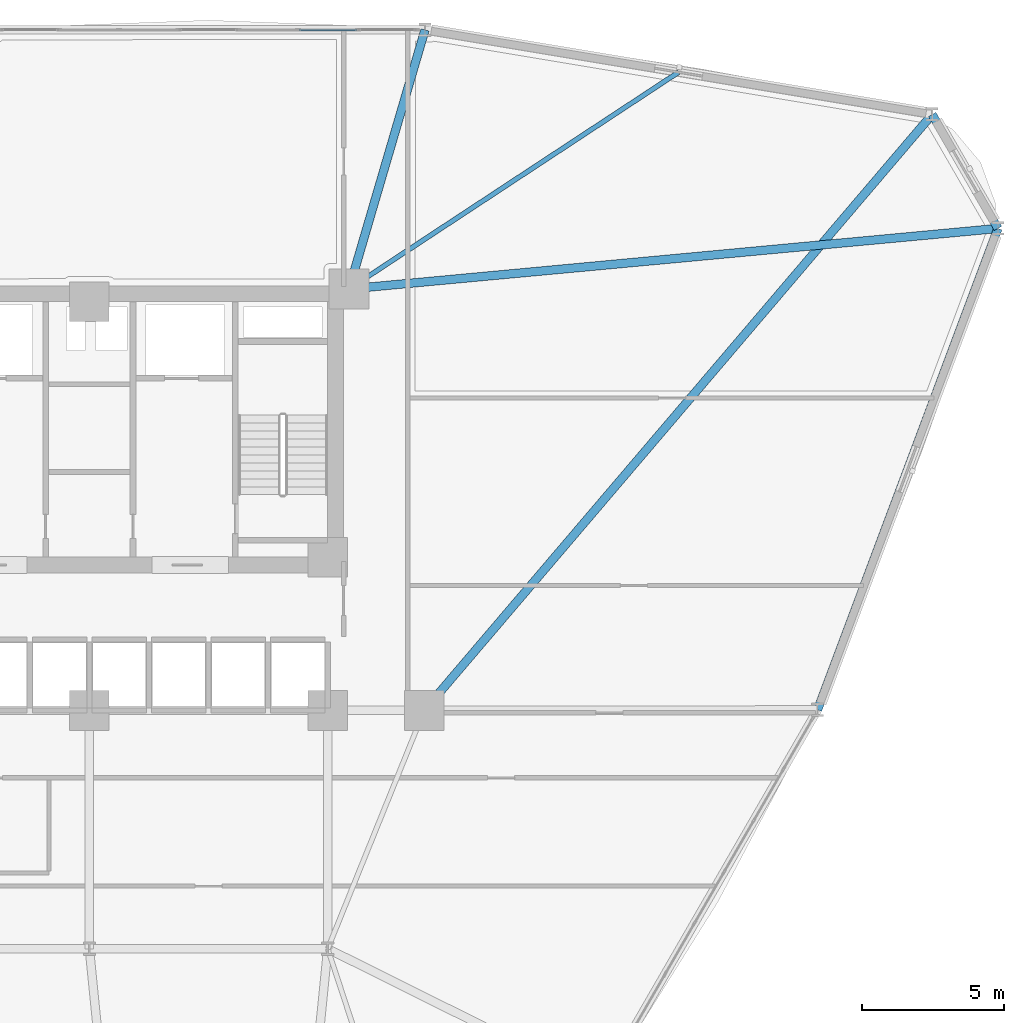
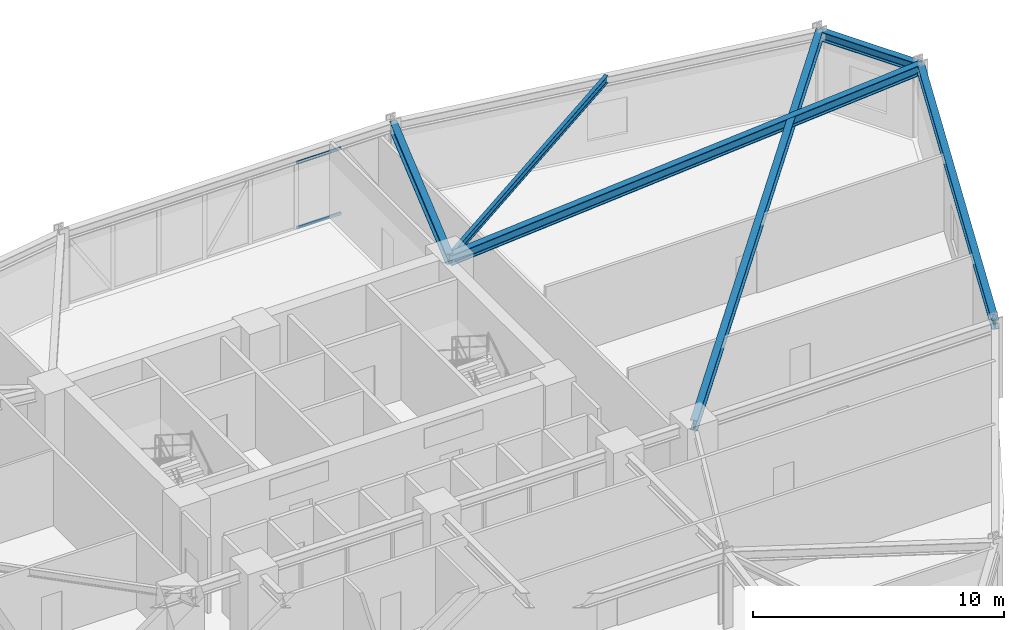
# One storey, part 11 of 21: 6 beams, 2 members, 1 element without a shape of its own.
"""IFC4 building model written with IfcOpenShell, lengths in metres."""

from ifc_helpers import new_model, si_unit, derived_unit, direction, frame, origin, origin_2d, place, context, subcontext, project, spatial, hollow_rectangle, i_section, extrude, source, transform, mapped, material, layer, layer_set, material_profile, profile_set, type_object, element, aggregate, save


model = new_model("IFC4")

# Units and contexts
model_context = context("Model", 3, precision=1e-05, world=origin(), true_north=direction((0.0, 1.0)))
body_context = subcontext(model_context, "Body", "Model", "MODEL_VIEW")
ifc_project = project(units=[si_unit("LENGTHUNIT", "METRE"), si_unit("AREAUNIT", "SQUARE_METRE"), si_unit("VOLUMEUNIT", "CUBIC_METRE"), si_unit("PLANEANGLEUNIT", "RADIAN"), si_unit("MASSUNIT", "GRAM", prefix="KILO"), derived_unit("THERMALTRANSMITTANCEUNIT", [(si_unit("POWERUNIT", "WATT"), 1), (si_unit("LENGTHUNIT", "METRE"), -2), (si_unit("THERMODYNAMICTEMPERATUREUNIT", "KELVIN"), -1)])], contexts=[model_context])

# Site, building, storey
site_placement = place(None, origin())
site = spatial("IfcSite", under=ifc_project, at=site_placement, CompositionType="ELEMENT")
building_placement = place(site_placement, origin())
building = spatial("IfcBuilding", under=site, at=building_placement, Name="Korsvarv Bourse and Concert Hall", CompositionType="ELEMENT")
storey_placement = place(building_placement, frame((0.0, 0.0, 63.89990234375)))
storey = spatial("IfcBuildingStorey", under=building, at=storey_placement, Name="L15", CompositionType="ELEMENT", Elevation=63.89990234375)

# Beams
ifc_material_1 = material(Name="Steel S355", Category="steel")
ifc_material_profile_1 = material_profile(ifc_material_1, i_section(OverallWidth=0.300048828125, OverallDepth=0.449951171875, WebThickness=0.013916015625, FlangeThickness=0.02587890625, FilletRadius=0.02099609375, at=origin_2d()), Name="HEB 450")
ifc_profile_set_1 = profile_set([ifc_material_profile_1], Name="Steel S355")
beam_type_1 = type_object("IfcBeamType", Name="BM-HEB450", PredefinedType="SPANDREL", material=ifc_profile_set_1)
shared_shape_1 = source(origin(), body_context, "Body", "SweptSolid", [
    extrude(i_section(OverallWidth=0.300048828125, OverallDepth=0.449951171875, WebThickness=0.013916015625, FlangeThickness=0.02587890625, FilletRadius=0.02099609375, at=origin_2d()), origin(), (0.0, 0.0, 1.0), 4.637939453125),
])
beam_1_placement = place(storey_placement, frame((68.0166015625, 49.382080078125, 3.455078125), z_axis=(-0.499977629202, 0.866038319186, 0.0), x_axis=(-0.866038319186, -0.499977629202, 0.0)))
element("IfcBeam", 1, at=beam_1_placement, inside=storey, type_object=beam_type_1, Name="L15 beam B-08", PredefinedType="SPANDREL", context=body_context, shape_type="MappedRepresentation", body=[
    mapped(shared_shape_1, transform((0.0, 0.0, 0.0), scale=1.0)),
])
shared_shape_2 = source(origin(), body_context, "Body", "SweptSolid", [
    extrude(i_section(OverallWidth=0.300048828125, OverallDepth=0.449951171875, WebThickness=0.013916015625, FlangeThickness=0.02587890625, FilletRadius=0.02099609375, at=origin_2d()), origin(), (0.0, 0.0, 1.0), 18.1171875),
])
beam_2_placement = place(storey_placement, frame((61.66015625, 32.41650390625, 3.455078125), z_axis=(0.350850223085, 0.936431589045, 0.0), x_axis=(-0.936431589045, 0.350850223085, 0.0)))
element("IfcBeam", 2, at=beam_2_placement, inside=storey, type_object=beam_type_1, Name="L15 beam B-08", PredefinedType="SPANDREL", context=body_context, shape_type="MappedRepresentation", body=[
    mapped(shared_shape_2, transform((0.0, 0.0, 0.0), scale=1.0)),
])
ifc_material_profile_2 = material_profile(ifc_material_1, i_section(OverallWidth=0.300048828125, OverallDepth=0.5, WebThickness=0.014404296875, FlangeThickness=0.028076171875, FilletRadius=0.02392578125, at=origin_2d()), Name="HEB 500")
ifc_profile_set_2 = profile_set([ifc_material_profile_2], Name="Steel S355")
beam_type_2 = type_object("IfcBeamType", Name="BM-HEB500", PredefinedType="BEAM", material=ifc_profile_set_2)
shared_shape_3 = source(origin(), body_context, "Body", "SweptSolid", [
    extrude(i_section(OverallWidth=0.300048828125, OverallDepth=0.5, WebThickness=0.014404296875, FlangeThickness=0.028076171875, FilletRadius=0.02392578125, at=origin_2d()), origin(), (0.0, 0.0, 1.0), 22.9658203125),
])
beam_3_placement = place(storey_placement, frame((68.0166015625, 49.382080078125, 3.43017578125), z_axis=(-0.995681334158, -0.092836850496, 0.0), x_axis=(0.092836850496, -0.995681334158, 0.0)))
element("IfcBeam", 3, at=beam_3_placement, inside=storey, type_object=beam_type_2, Name="L15 beam B-07", PredefinedType="BEAM", context=body_context, shape_type="MappedRepresentation", body=[
    mapped(shared_shape_3, transform((0.0, 0.0, 0.0), scale=1.0)),
])
shared_shape_4 = source(origin(), body_context, "Body", "SweptSolid", [
    extrude(i_section(OverallWidth=0.300048828125, OverallDepth=0.5, WebThickness=0.014404296875, FlangeThickness=0.028076171875, FilletRadius=0.02392578125, at=origin_2d()), origin(), (0.0, 0.0, 1.0), 27.59130859375),
])
beam_4_placement = place(storey_placement, frame((65.69775390625, 53.398681640625, 3.43017578125), z_axis=(-0.648673435482, -0.761066865722, 0.0), x_axis=(0.761066865722, -0.648673435482, 0.0)))
element("IfcBeam", 4, at=beam_4_placement, inside=storey, type_object=beam_type_2, Name="L15 beam B-07", PredefinedType="BEAM", context=body_context, shape_type="MappedRepresentation", body=[
    mapped(shared_shape_4, transform((0.0, 0.0, 0.0), scale=1.0)),
])
shared_shape_5 = source(origin(), body_context, "Body", "SweptSolid", [
    extrude(i_section(OverallWidth=0.300048828125, OverallDepth=0.5, WebThickness=0.014404296875, FlangeThickness=0.028076171875, FilletRadius=0.02392578125, at=origin_2d()), origin(), (0.0, 0.0, 1.0), 9.51123046875),
])
beam_5_placement = place(storey_placement, frame((47.82666015625, 56.376708984375, 3.43017578125), z_axis=(-0.281433860533, -0.959580628267, 0.0), x_axis=(0.959580628267, -0.281433860533, 0.0)))
element("IfcBeam", 5, at=beam_5_placement, inside=storey, type_object=beam_type_2, Name="L15 beam B-07", PredefinedType="BEAM", context=body_context, shape_type="MappedRepresentation", body=[
    mapped(shared_shape_5, transform((0.0, 0.0, 0.0), scale=1.0)),
])
ifc_material_profile_3 = material_profile(ifc_material_1, i_section(OverallWidth=0.169921875, OverallDepth=0.360107421875, WebThickness=0.008056640625, FlangeThickness=0.0126953125, FilletRadius=0.01806640625, at=origin_2d()), Name="IPE 360")
ifc_profile_set_3 = profile_set([ifc_material_profile_3], Name="Steel S355")
beam_type_3 = type_object("IfcBeamType", Name="BM-IPE360", PredefinedType="JOIST", material=ifc_profile_set_3)
shared_shape_6 = source(origin(), body_context, "Body", "SweptSolid", [
    extrude(i_section(OverallWidth=0.169921875, OverallDepth=0.360107421875, WebThickness=0.008056640625, FlangeThickness=0.0126953125, FilletRadius=0.01806640625, at=origin_2d()), origin(), (0.0, 0.0, 1.0), 13.89892578125),
])
beam_6_placement = place(storey_placement, frame((56.76220703125, 54.8876953125, 3.5), z_axis=(-0.835482447947, -0.549517132738, 0.0), x_axis=(0.549517132738, -0.835482447947, 0.0)))
element("IfcBeam", 6, at=beam_6_placement, inside=storey, type_object=beam_type_3, Name="L15 beam J-06", PredefinedType="JOIST", context=body_context, shape_type="MappedRepresentation", body=[
    mapped(shared_shape_6, transform((0.0, 0.0, 0.0), scale=1.0)),
])

# Curtain wall, members
ifc_material_2 = material(Name="Anodised aluminium and triple low-E glazing", Category="glass")
ifc_layer = layer(ifc_material_2, 0.219970703125)
ifc_layer_set = layer_set([ifc_layer], Name="Anodised aluminium and triple low-E glazing")
curtain_wall_type = type_object("IfcCurtainWallType", Name="CW-SYS-1", PredefinedType="NOTDEFINED", material=ifc_layer_set)
curtain_wall_placement = place(storey_placement, origin())
curtain_wall = element("IfcCurtainWall", 7, at=curtain_wall_placement, inside=storey, type_object=curtain_wall_type, Name="L15 CW1 curtain wall CW-L15-F03", PredefinedType="NOTDEFINED")
ifc_material_3 = material(Name="Extruded aluminium EN AW-6063 T66", Category="aluminium")
ifc_material_profile_4 = material_profile(ifc_material_3, hollow_rectangle(XDim=0.06494140625, YDim=0.139892578125, WallThickness=0.00390625, at=origin_2d()), Name="ALU-T 65x140")
ifc_profile_set_4 = profile_set([ifc_material_profile_4], Name="Extruded aluminium EN AW-6063 T66")
member_type = type_object("IfcMemberType", Name="CWT-140", PredefinedType="USERDEFINED", material=ifc_profile_set_4)
shared_shape_7 = source(origin(), body_context, "Body", "SweptSolid", [
    extrude(hollow_rectangle(XDim=0.06494140625, YDim=0.139892578125, WallThickness=0.00390625, at=origin_2d()), origin(), (0.0, 0.0, 1.0), 2.0341796875),
])
member_1_placement = place(storey_placement, frame((45.425537109375, 56.376708984375, 0.03271484375), z_axis=(-1.0, 0.0, 0.0), x_axis=(0.0, -1.0, 0.0)))
member_1 = element("IfcMember", 8, at=member_1_placement, type_object=member_type, Name="CW1 transom 2.1", ObjectType="TRANSOM", PredefinedType="USERDEFINED", context=body_context, shape_type="MappedRepresentation", body=[
    mapped(shared_shape_7, transform((0.0, 0.0, 0.0), scale=1.0)),
])
member_2_placement = place(storey_placement, frame((45.425537109375, 56.376708984375, 3.197509765625), z_axis=(-1.0, 0.0, 0.0), x_axis=(0.0, -1.0, 0.0)))
member_2 = element("IfcMember", 9, at=member_2_placement, type_object=member_type, Name="CW1 transom 2.2", ObjectType="TRANSOM", PredefinedType="USERDEFINED", context=body_context, shape_type="MappedRepresentation", body=[
    mapped(shared_shape_7, transform((0.0, 0.0, 0.0), scale=1.0)),
])
aggregate(curtain_wall, [member_1, member_2])

save(model, "model.ifc")
